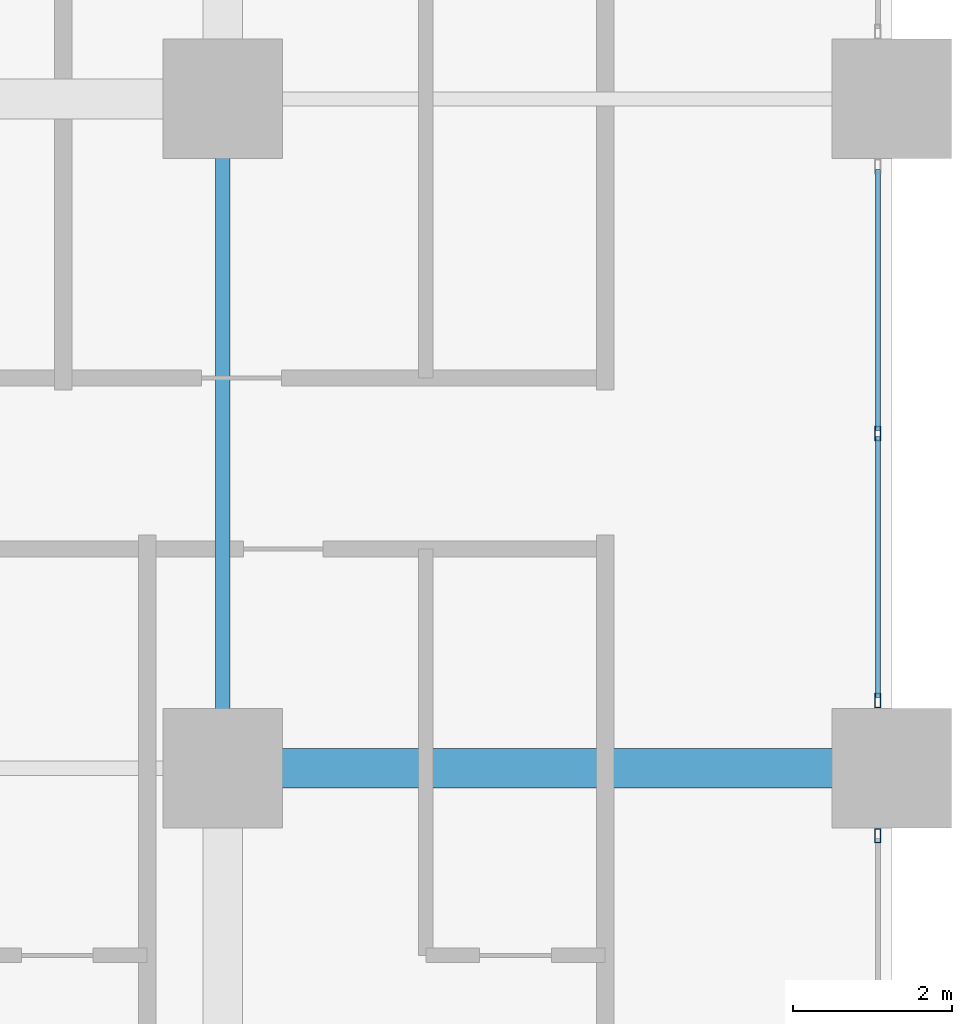
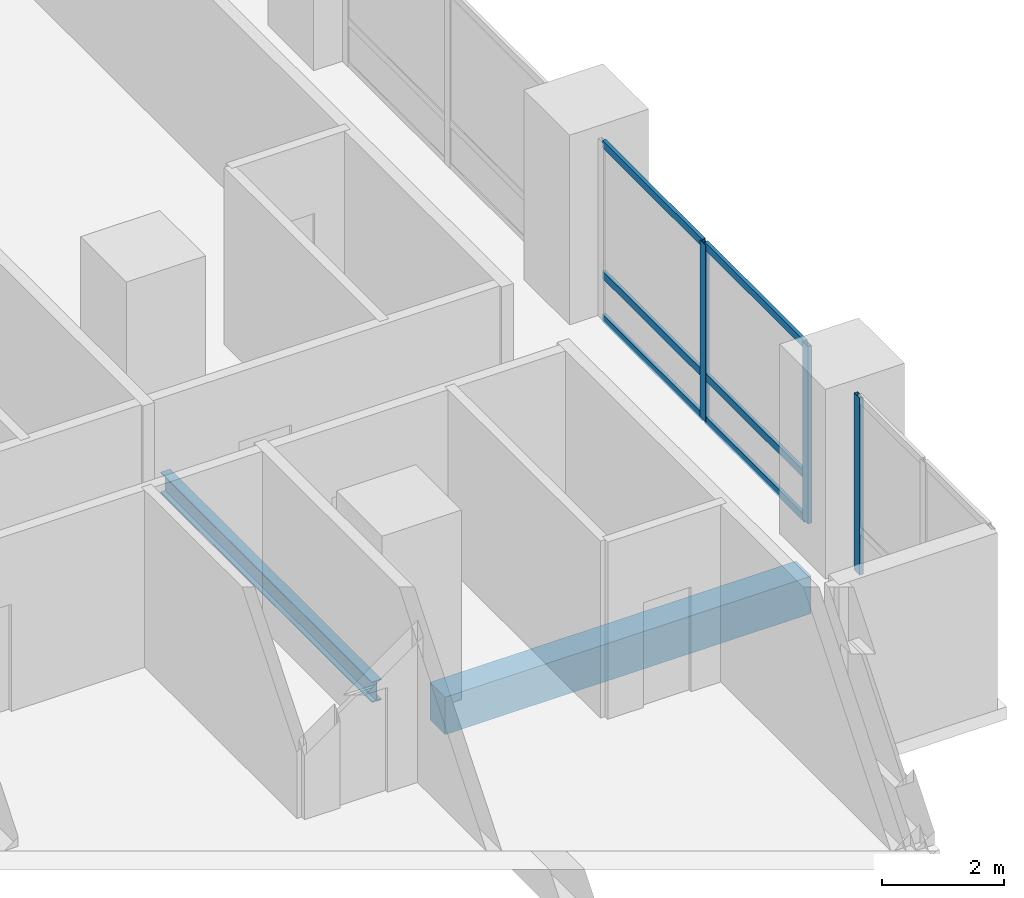
# One storey, part 4 of 26: 9 members, 2 beams, 2 elements without a shape of their own.
"""IFC4 building model written with IfcOpenShell, lengths in metres."""

from ifc_helpers import new_model, si_unit, direction, frame, origin, origin_2d, place, context, subcontext, project, spatial, rectangle, hollow_rectangle, i_section, extrude, material, layer, layer_set, material_profile, profile_set, type_object, element, aggregate, save


model = new_model("IFC4")

# Units and contexts
model_context = context("Model", 3, precision=1e-05, world=origin(), true_north=direction((0.0, 1.0)))
body_context = subcontext(model_context, "Body", "Model", "MODEL_VIEW")
ifc_project = project(units=[si_unit("LENGTHUNIT", "METRE"), si_unit("AREAUNIT", "SQUARE_METRE"), si_unit("VOLUMEUNIT", "CUBIC_METRE"), si_unit("PLANEANGLEUNIT", "RADIAN"), si_unit("MASSUNIT", "GRAM", prefix="KILO")], contexts=[model_context])

# Site, building, storey
site_placement = place(None, origin())
site = spatial("IfcSite", under=ifc_project, at=site_placement, CompositionType="ELEMENT")
building_placement = place(site_placement, origin())
building = spatial("IfcBuilding", under=site, at=building_placement, Name="Koriwani Terraces Tower", CompositionType="ELEMENT")
storey_placement = place(building_placement, frame((0.0, 0.0, 39.60009765625)))
storey = spatial("IfcBuildingStorey", under=building, at=storey_placement, Name="L08", CompositionType="ELEMENT", Elevation=39.60009765625)

# Beam
ifc_material_1 = material(Name="Concrete C50/60", Category="concrete")
ifc_material_profile_1 = material_profile(ifc_material_1, rectangle(XDim=0.5, YDim=0.75, at=origin_2d()), Name="Concrete C50/60", Category="LoadBearing")
ifc_profile_set_1 = profile_set([ifc_material_profile_1], Name="Concrete C50/60")
beam_type_1 = type_object("IfcBeamType", Name="BEAM_RC_GRID_500X750", PredefinedType="BEAM", material=ifc_profile_set_1)
beam_1_placement = place(storey_placement, frame((84.72998046875, 8.39990234375, -0.625), z_axis=(1.0, 0.0, 0.0), x_axis=(0.0, 1.0, 0.0)))
element("IfcBeam", 1, at=beam_1_placement, inside=storey, type_object=beam_type_1, Name="L08 Grid Beam B (84.0-92.4m)", PredefinedType="BEAM", context=body_context, shape_type="SweptSolid", body=[
    extrude(rectangle(XDim=0.5, YDim=0.75, at=origin_2d()), origin(), (0.0, 0.0, 1.0), 6.93994140625),
])

# Curtain wall, members
ifc_material_2 = material(Name="Anodised Bronze Aluminium", Category="aluminium")
ifc_layer = layer(ifc_material_2, 0.179931640625, Name="Anodised Bronze Aluminium")
ifc_layer_set = layer_set([ifc_layer], Name="Anodised Bronze Aluminium")
curtain_wall_type = type_object("IfcCurtainWallType", Name="CW_HOTEL_ZONE1", PredefinedType="NOTDEFINED", material=ifc_layer_set)
curtain_wall_1_placement = place(storey_placement, origin())
curtain_wall_1 = element("IfcCurtainWall", 2, at=curtain_wall_1_placement, inside=storey, type_object=curtain_wall_type, Name="L08 Unitised Curtain Wall (E_TIP) Bay 3", PredefinedType="NOTDEFINED")
ifc_material_profile_2 = material_profile(ifc_material_2, hollow_rectangle(XDim=0.074951171875, YDim=0.179931640625, WallThickness=0.006103515625, at=origin_2d()), Name="Anodised Bronze Aluminium", Category="LoadBearing")
ifc_profile_set_2 = profile_set([ifc_material_profile_2], Name="Anodised Bronze Aluminium")
member_type_1 = type_object("IfcMemberType", Name="CW_MULLION_180X75", PredefinedType="MULLION", material=ifc_profile_set_2)
member_1_placement = place(storey_placement, frame((92.22509765625, 12.60009765625, 0.0), z_axis=(0.0, 0.0, 1.0), x_axis=(1.0, 0.0, 0.0)))
member_1 = element("IfcMember", 3, at=member_1_placement, type_object=member_type_1, Name="CW-Z1 mullion 2", PredefinedType="MULLION", context=body_context, shape_type="SweptSolid", body=[
    extrude(hollow_rectangle(XDim=0.074951171875, YDim=0.179931640625, WallThickness=0.006103515625, at=origin_2d()), origin(), (0.0, 0.0, 1.0), 3.5498046875),
])
member_2_placement = place(storey_placement, frame((92.22509765625, 9.24755859375, 0.0), z_axis=(0.0, 0.0, 1.0), x_axis=(1.0, 0.0, 0.0)))
member_2 = element("IfcMember", 4, at=member_2_placement, type_object=member_type_1, Name="CW-Z1 mullion 3", PredefinedType="MULLION", context=body_context, shape_type="SweptSolid", body=[
    extrude(hollow_rectangle(XDim=0.074951171875, YDim=0.179931640625, WallThickness=0.006103515625, at=origin_2d()), origin(), (0.0, 0.0, 1.0), 3.5498046875),
])

# Curtain wall, member
curtain_wall_2_placement = place(storey_placement, origin())
curtain_wall_2 = element("IfcCurtainWall", 5, at=curtain_wall_2_placement, inside=storey, type_object=curtain_wall_type, Name="L08 Unitised Curtain Wall (E_TIP) Bay 4", PredefinedType="NOTDEFINED")
member_3_placement = place(storey_placement, frame((92.22509765625, 7.552490234375, 0.0), z_axis=(0.0, 0.0, 1.0), x_axis=(1.0, 0.0, 0.0)))
member_3 = element("IfcMember", 6, at=member_3_placement, type_object=member_type_1, Name="CW-Z1 mullion 1", PredefinedType="MULLION", context=body_context, shape_type="SweptSolid", body=[
    extrude(hollow_rectangle(XDim=0.074951171875, YDim=0.179931640625, WallThickness=0.006103515625, at=origin_2d()), origin(), (0.0, 0.0, 1.0), 3.5498046875),
])
aggregate(curtain_wall_2, [member_3])

# Member
ifc_material_profile_3 = material_profile(ifc_material_2, hollow_rectangle(XDim=0.06494140625, YDim=0.14990234375, WallThickness=0.0048828125, at=origin_2d()), Name="Anodised Bronze Aluminium", Category="LoadBearing")
ifc_profile_set_3 = profile_set([ifc_material_profile_3], Name="Anodised Bronze Aluminium")
member_type_2 = type_object("IfcMemberType", Name="CW_TRANSOM_150X65", PredefinedType="USERDEFINED", material=ifc_profile_set_3)
member_4_placement = place(storey_placement, frame((92.22509765625, 15.9150390625, 0.032470703125), z_axis=(0.0, -1.0, 0.0), x_axis=(1.0, 0.0, 0.0)))
member_4 = element("IfcMember", 7, at=member_4_placement, type_object=member_type_2, Name="CW-Z1 transom 1.1", ObjectType="TRANSOM", PredefinedType="USERDEFINED", context=body_context, shape_type="SweptSolid", body=[
    extrude(hollow_rectangle(XDim=0.06494140625, YDim=0.14990234375, WallThickness=0.0048828125, at=origin_2d()), origin(), (0.0, 0.0, 1.0), 3.277587890625),
])

member_5_placement = place(storey_placement, frame((92.22509765625, 15.9150390625, 0.89990234375), z_axis=(0.0, -1.0, 0.0), x_axis=(1.0, 0.0, 0.0)))
member_5 = element("IfcMember", 8, at=member_5_placement, type_object=member_type_2, Name="CW-Z1 transom 1.2", ObjectType="TRANSOM", PredefinedType="USERDEFINED", context=body_context, shape_type="SweptSolid", body=[
    extrude(hollow_rectangle(XDim=0.06494140625, YDim=0.14990234375, WallThickness=0.0048828125, at=origin_2d()), origin(), (0.0, 0.0, 1.0), 3.277587890625),
])

member_6_placement = place(storey_placement, frame((92.22509765625, 15.9150390625, 3.517333984375), z_axis=(0.0, -1.0, 0.0), x_axis=(1.0, 0.0, 0.0)))
member_6 = element("IfcMember", 9, at=member_6_placement, type_object=member_type_2, Name="CW-Z1 transom 1.3", ObjectType="TRANSOM", PredefinedType="USERDEFINED", context=body_context, shape_type="SweptSolid", body=[
    extrude(hollow_rectangle(XDim=0.06494140625, YDim=0.14990234375, WallThickness=0.0048828125, at=origin_2d()), origin(), (0.0, 0.0, 1.0), 3.277587890625),
])

member_7_placement = place(storey_placement, frame((92.22509765625, 12.5625, 0.032470703125), z_axis=(0.0, -1.0, 0.0), x_axis=(1.0, 0.0, 0.0)))
member_7 = element("IfcMember", 10, at=member_7_placement, type_object=member_type_2, Name="CW-Z1 transom 2.1", ObjectType="TRANSOM", PredefinedType="USERDEFINED", context=body_context, shape_type="SweptSolid", body=[
    extrude(hollow_rectangle(XDim=0.06494140625, YDim=0.14990234375, WallThickness=0.0048828125, at=origin_2d()), origin(), (0.0, 0.0, 1.0), 3.277587890625),
])

member_8_placement = place(storey_placement, frame((92.22509765625, 12.5625, 0.89990234375), z_axis=(0.0, -1.0, 0.0), x_axis=(1.0, 0.0, 0.0)))
member_8 = element("IfcMember", 11, at=member_8_placement, type_object=member_type_2, Name="CW-Z1 transom 2.2", ObjectType="TRANSOM", PredefinedType="USERDEFINED", context=body_context, shape_type="SweptSolid", body=[
    extrude(hollow_rectangle(XDim=0.06494140625, YDim=0.14990234375, WallThickness=0.0048828125, at=origin_2d()), origin(), (0.0, 0.0, 1.0), 3.277587890625),
])

member_9_placement = place(storey_placement, frame((92.22509765625, 12.5625, 3.517333984375), z_axis=(0.0, -1.0, 0.0), x_axis=(1.0, 0.0, 0.0)))
member_9 = element("IfcMember", 12, at=member_9_placement, type_object=member_type_2, Name="CW-Z1 transom 2.3", ObjectType="TRANSOM", PredefinedType="USERDEFINED", context=body_context, shape_type="SweptSolid", body=[
    extrude(hollow_rectangle(XDim=0.06494140625, YDim=0.14990234375, WallThickness=0.0048828125, at=origin_2d()), origin(), (0.0, 0.0, 1.0), 3.277587890625),
])

aggregate(curtain_wall_1, [member_1, member_2, member_4, member_5, member_6, member_7, member_8, member_9])

# Beam
ifc_material_3 = material(Name="Steel ASTM A572 Grade 50", Category="steel")
ifc_material_profile_4 = material_profile(ifc_material_3, i_section(OverallWidth=0.180908203125, OverallDepth=0.4169921875, WebThickness=0.010986328125, FlangeThickness=0.018310546875, at=origin_2d()), Name="Steel ASTM A572 Grade 50", Category="LoadBearing")
ifc_profile_set_4 = profile_set([ifc_material_profile_4], Name="Steel ASTM A572 Grade 50")
beam_type_2 = type_object("IfcBeamType", Name="STEEL_BEAM_W410X85", PredefinedType="JOIST", material=ifc_profile_set_4)
beam_2_placement = place(storey_placement, frame((84.0, 9.1298828125, -0.45849609375), z_axis=(0.0, 1.0, 0.0), x_axis=(-1.0, 0.0, 0.0)))
element("IfcBeam", 13, at=beam_2_placement, inside=storey, type_object=beam_type_2, Name="L08 Grid Beam 11 (8.4-16.8m)", PredefinedType="JOIST", context=body_context, shape_type="SweptSolid", body=[
    extrude(i_section(OverallWidth=0.180908203125, OverallDepth=0.4169921875, WebThickness=0.010986328125, FlangeThickness=0.018310546875, at=origin_2d()), origin(), (0.0, 0.0, 1.0), 6.940185546875),
])

save(model, "model.ifc")
